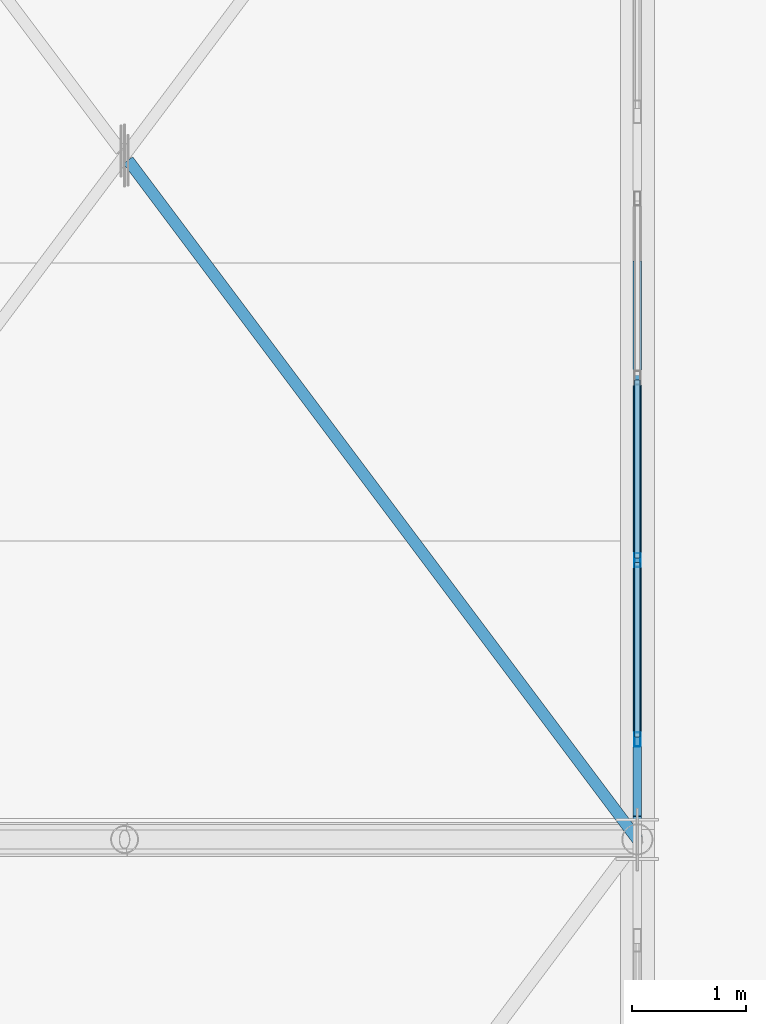
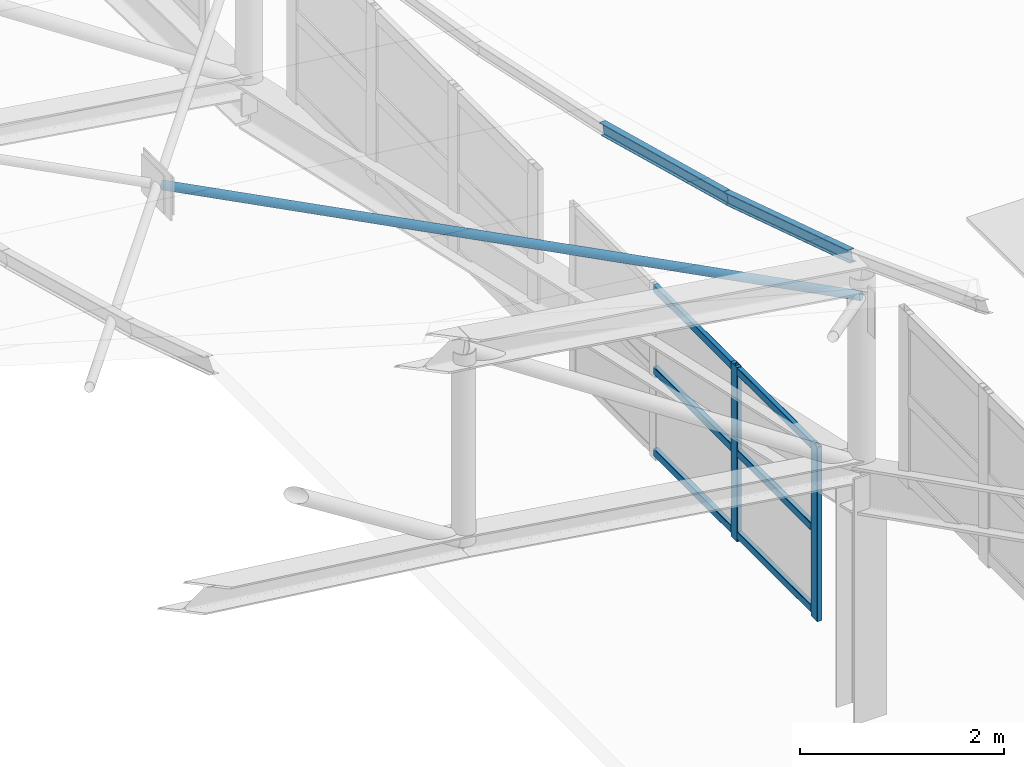
# One storey, part 77 of 262: 11 members, 1 element without a shape of its own.
"""IFC4 building model written with IfcOpenShell, lengths in metres."""

from ifc_helpers import new_model, si_unit, derived_unit, direction, frame, origin, origin_2d, place, context, subcontext, project, spatial, hollow_rectangle, hollow_circle, i_section, extrude, material, layer, layer_set, material_profile, profile_set, type_object, element, aggregate, save


model = new_model("IFC4")

# Units and contexts
model_context = context("Model", 3, precision=1e-05, world=origin(), true_north=direction((0.0, 1.0)))
body_context = subcontext(model_context, "Body", "Model", "MODEL_VIEW")
ifc_project = project(units=[si_unit("LENGTHUNIT", "METRE"), si_unit("AREAUNIT", "SQUARE_METRE"), si_unit("VOLUMEUNIT", "CUBIC_METRE"), si_unit("PLANEANGLEUNIT", "RADIAN"), si_unit("MASSUNIT", "GRAM", prefix="KILO"), derived_unit("THERMALTRANSMITTANCEUNIT", [(si_unit("POWERUNIT", "WATT"), 1), (si_unit("LENGTHUNIT", "METRE"), -2), (si_unit("THERMODYNAMICTEMPERATUREUNIT", "KELVIN"), -1)])], contexts=[model_context])

# Site, building, storey
site_placement = place(None, origin())
site = spatial("IfcSite", under=ifc_project, at=site_placement, CompositionType="ELEMENT")
building_placement = place(site_placement, origin())
building = spatial("IfcBuilding", under=site, at=building_placement, Name="Almenara Railside Exhibition Hall", CompositionType="ELEMENT")
storey_placement = place(building_placement, frame((0.0, 0.0, 21.699951171875)))
storey = spatial("IfcBuildingStorey", under=building, at=storey_placement, Name="RF", CompositionType="ELEMENT", Elevation=21.699951171875)

# Members
ifc_material_1 = material(Name="Structural steel S355JR", Category="steel")
ifc_material_profile_1 = material_profile(ifc_material_1, i_section(OverallWidth=0.072998046875, OverallDepth=0.139892578125, WebThickness=0.004638671875, FlangeThickness=0.0068359375, FilletRadius=0.007080078125, at=origin_2d()), Name="IPE 140")
ifc_profile_set_1 = profile_set([ifc_material_profile_1], Name="Structural steel S355JR")
member_type_1 = type_object("IfcMemberType", Name="Canopy Edge Purlin IPE 140 S355JR", PredefinedType="PURLIN", material=ifc_profile_set_1)
member_1_placement = place(storey_placement, frame((66.0, 60.18359375, 2.928955078125), z_axis=(0.0, 0.952468462339, -0.304637207594), x_axis=(-1.0, 0.0, 0.0)))
element("IfcMember", 1, at=member_1_placement, inside=storey, type_object=member_type_1, Name="MEM-PR-V1-PR-IPE140-08-05", PredefinedType="PURLIN", context=body_context, shape_type="SweptSolid", body=[
    extrude(i_section(OverallWidth=0.072998046875, OverallDepth=0.139892578125, WebThickness=0.004638671875, FlangeThickness=0.0068359375, FilletRadius=0.007080078125, at=origin_2d()), origin(), (0.0, 0.0, 1.0), 2.55810546875),
])
member_2_placement = place(storey_placement, frame((66.0, 62.6201171875, 2.153564453125), z_axis=(0.0, 0.966201190487, -0.257789176462), x_axis=(-1.0, 0.0, 0.0)))
element("IfcMember", 2, at=member_2_placement, inside=storey, type_object=member_type_1, Name="MEM-PR-V1-PR-IPE140-08-06", PredefinedType="PURLIN", context=body_context, shape_type="SweptSolid", body=[
    extrude(i_section(OverallWidth=0.072998046875, OverallDepth=0.139892578125, WebThickness=0.004638671875, FlangeThickness=0.0068359375, FilletRadius=0.007080078125, at=origin_2d()), origin(), (0.0, 0.0, 1.0), 2.52197265625),
])

# Curtain wall, members
ifc_material_2 = material(Name="Bronze-anodised aluminium and low-E double glazing", Category="aluminium")
ifc_layer = layer(ifc_material_2, 0.179931640625, Name="Bronze-anodised aluminium and low-E double glazing")
ifc_layer_set = layer_set([ifc_layer], Name="Bronze-anodised aluminium and low-E double glazing")
curtain_wall_type = type_object("IfcCurtainWallType", Name="West Hall Clerestory Curtain Wall 4200x2400", PredefinedType="NOTDEFINED", material=ifc_layer_set)
curtain_wall_placement = place(storey_placement, origin())
curtain_wall = element("IfcCurtainWall", 3, at=curtain_wall_placement, inside=storey, type_object=curtain_wall_type, Name="Curtain wall CW-CL1-174", PredefinedType="NOTDEFINED")
ifc_material_3 = material(Name="Bronze-anodised aluminium", Category="aluminium")
ifc_material_profile_2 = material_profile(ifc_material_3, hollow_rectangle(XDim=0.054931640625, YDim=0.125, WallThickness=0.0029296875, InnerFilletRadius=0.0029296875, OuterFilletRadius=0.006103515625, at=origin_2d()), Name="ALU-MUL 55x125x3")
ifc_profile_set_2 = profile_set([ifc_material_profile_2], Name="Bronze-anodised aluminium")
member_type_2 = type_object("IfcMemberType", Name="Curtain Wall Mullion 55x125x3", PredefinedType="MULLION", material=ifc_profile_set_2)
member_3_placement = place(storey_placement, frame((66.0, 60.87744140625, -1.824951171875), z_axis=(0.0, 0.0, 1.0), x_axis=(-1.0, 0.0, 0.0)))
member_3 = element("IfcMember", 4, at=member_3_placement, type_object=member_type_2, Name="CW-CL1-174 mullion 1", PredefinedType="MULLION", context=body_context, shape_type="SweptSolid", body=[
    extrude(hollow_rectangle(XDim=0.054931640625, YDim=0.125, WallThickness=0.0029296875, InnerFilletRadius=0.0029296875, OuterFilletRadius=0.006103515625, at=origin_2d()), origin(), (0.0, 0.0, 1.0), 2.0849609375),
])
member_4_placement = place(storey_placement, frame((66.0, 62.449951171875, -1.824951171875), z_axis=(0.0, 0.0, 1.0), x_axis=(-1.0, 0.0, 0.0)))
member_4 = element("IfcMember", 5, at=member_4_placement, type_object=member_type_2, Name="CW-CL1-174 mullion 2", PredefinedType="MULLION", context=body_context, shape_type="SweptSolid", body=[
    extrude(hollow_rectangle(XDim=0.054931640625, YDim=0.125, WallThickness=0.0029296875, InnerFilletRadius=0.0029296875, OuterFilletRadius=0.006103515625, at=origin_2d()), origin(), (0.0, 0.0, 1.0), 2.0849609375),
])
ifc_material_profile_3 = material_profile(ifc_material_3, hollow_rectangle(XDim=0.054931640625, YDim=0.090087890625, WallThickness=0.0029296875, InnerFilletRadius=0.0029296875, OuterFilletRadius=0.006103515625, at=origin_2d()), Name="ALU-TRN 55x90x3")
ifc_profile_set_3 = profile_set([ifc_material_profile_3], Name="Bronze-anodised aluminium")
member_type_3 = type_object("IfcMemberType", Name="Curtain Wall Transom 55x90x3", PredefinedType="USERDEFINED", material=ifc_profile_set_3)
member_5_placement = place(storey_placement, frame((66.0, 60.89697265625, -1.744873046875), z_axis=(0.0, 1.0, 0.0), x_axis=(-1.0, 0.0, 0.0)))
member_5 = element("IfcMember", 6, at=member_5_placement, type_object=member_type_3, Name="CW-CL1-174 transom 1.1", ObjectType="TRANSOM", PredefinedType="USERDEFINED", context=body_context, shape_type="SweptSolid", body=[
    extrude(hollow_rectangle(XDim=0.054931640625, YDim=0.090087890625, WallThickness=0.0029296875, InnerFilletRadius=0.0029296875, OuterFilletRadius=0.006103515625, at=origin_2d()), origin(), (0.0, 0.0, 1.0), 1.533447265625),
])
member_6_placement = place(storey_placement, frame((66.0, 60.89697265625, -0.764892578125), z_axis=(0.0, 1.0, 0.0), x_axis=(-1.0, 0.0, 0.0)))
member_6 = element("IfcMember", 7, at=member_6_placement, type_object=member_type_3, Name="CW-CL1-174 transom 1.2", ObjectType="TRANSOM", PredefinedType="USERDEFINED", context=body_context, shape_type="SweptSolid", body=[
    extrude(hollow_rectangle(XDim=0.054931640625, YDim=0.090087890625, WallThickness=0.0029296875, InnerFilletRadius=0.0029296875, OuterFilletRadius=0.006103515625, at=origin_2d()), origin(), (0.0, 0.0, 1.0), 1.533447265625),
])
member_7_placement = place(storey_placement, frame((66.0, 60.89697265625, 0.215087890625), z_axis=(0.0, 1.0, 0.0), x_axis=(-1.0, 0.0, 0.0)))
member_7 = element("IfcMember", 8, at=member_7_placement, type_object=member_type_3, Name="CW-CL1-174 transom 1.3", ObjectType="TRANSOM", PredefinedType="USERDEFINED", context=body_context, shape_type="SweptSolid", body=[
    extrude(hollow_rectangle(XDim=0.054931640625, YDim=0.090087890625, WallThickness=0.0029296875, InnerFilletRadius=0.0029296875, OuterFilletRadius=0.006103515625, at=origin_2d()), origin(), (0.0, 0.0, 1.0), 1.533447265625),
])
member_8_placement = place(storey_placement, frame((66.0, 62.469482421875, -1.744873046875), z_axis=(0.0, 1.0, 0.0), x_axis=(-1.0, 0.0, 0.0)))
member_8 = element("IfcMember", 9, at=member_8_placement, type_object=member_type_3, Name="CW-CL1-174 transom 2.1", ObjectType="TRANSOM", PredefinedType="USERDEFINED", context=body_context, shape_type="SweptSolid", body=[
    extrude(hollow_rectangle(XDim=0.054931640625, YDim=0.090087890625, WallThickness=0.0029296875, InnerFilletRadius=0.0029296875, OuterFilletRadius=0.006103515625, at=origin_2d()), origin(), (0.0, 0.0, 1.0), 1.56103515625),
])
member_9_placement = place(storey_placement, frame((66.0, 62.469482421875, -0.764892578125), z_axis=(0.0, 1.0, 0.0), x_axis=(-1.0, 0.0, 0.0)))
member_9 = element("IfcMember", 10, at=member_9_placement, type_object=member_type_3, Name="CW-CL1-174 transom 2.2", ObjectType="TRANSOM", PredefinedType="USERDEFINED", context=body_context, shape_type="SweptSolid", body=[
    extrude(hollow_rectangle(XDim=0.054931640625, YDim=0.090087890625, WallThickness=0.0029296875, InnerFilletRadius=0.0029296875, OuterFilletRadius=0.006103515625, at=origin_2d()), origin(), (0.0, 0.0, 1.0), 1.56103515625),
])
member_10_placement = place(storey_placement, frame((66.0, 62.469482421875, 0.215087890625), z_axis=(0.0, 1.0, 0.0), x_axis=(-1.0, 0.0, 0.0)))
member_10 = element("IfcMember", 11, at=member_10_placement, type_object=member_type_3, Name="CW-CL1-174 transom 2.3", ObjectType="TRANSOM", PredefinedType="USERDEFINED", context=body_context, shape_type="SweptSolid", body=[
    extrude(hollow_rectangle(XDim=0.054931640625, YDim=0.090087890625, WallThickness=0.0029296875, InnerFilletRadius=0.0029296875, OuterFilletRadius=0.006103515625, at=origin_2d()), origin(), (0.0, 0.0, 1.0), 1.56103515625),
])
aggregate(curtain_wall, [member_3, member_4, member_5, member_6, member_7, member_8, member_9, member_10])

# Member
ifc_material_profile_4 = material_profile(ifc_material_1, hollow_circle(Radius=0.05078125, WallThickness=0.00390625, at=origin_2d()), Name="CHS 101.6x4")
ifc_profile_set_4 = profile_set([ifc_material_profile_4], Name="Structural steel S355JR")
member_type_4 = type_object("IfcMemberType", Name="Scroll Wind Plan Brace CHS 101.6x4 S355JR", PredefinedType="BRACE", material=ifc_profile_set_4)
member_11_placement = place(storey_placement, frame((66.0, 60.0, 2.561279296875), z_axis=(-0.597204451366, 0.796261722591, -0.096509649289), x_axis=(-0.799996065092, -0.600005246508, 0.0)))
element("IfcMember", 12, at=member_11_placement, inside=storey, type_object=member_type_4, Name="MEM-WB-V1-WB-CHS102-01-10-S1", PredefinedType="BRACE", context=body_context, shape_type="SweptSolid", body=[
    extrude(hollow_circle(Radius=0.05078125, WallThickness=0.00390625, at=origin_2d()), origin(), (0.0, 0.0, 1.0), 7.480224609375),
])

save(model, "model.ifc")
